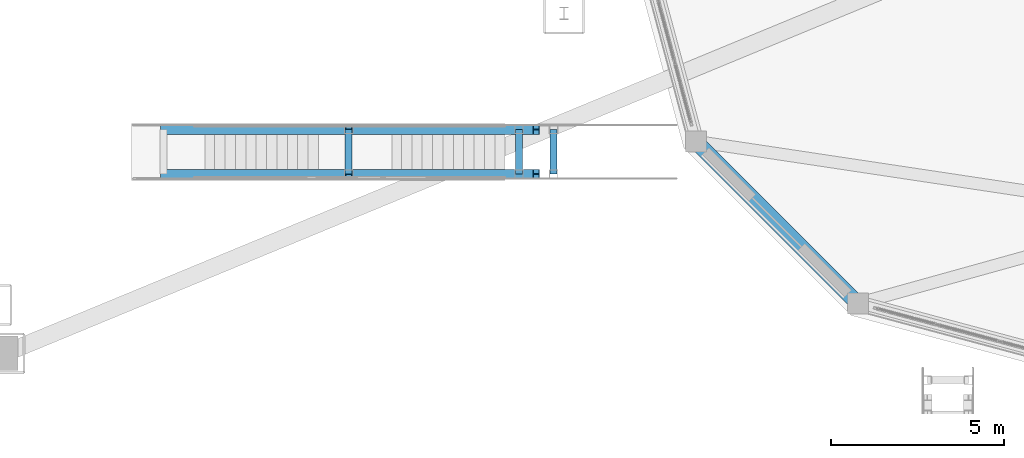
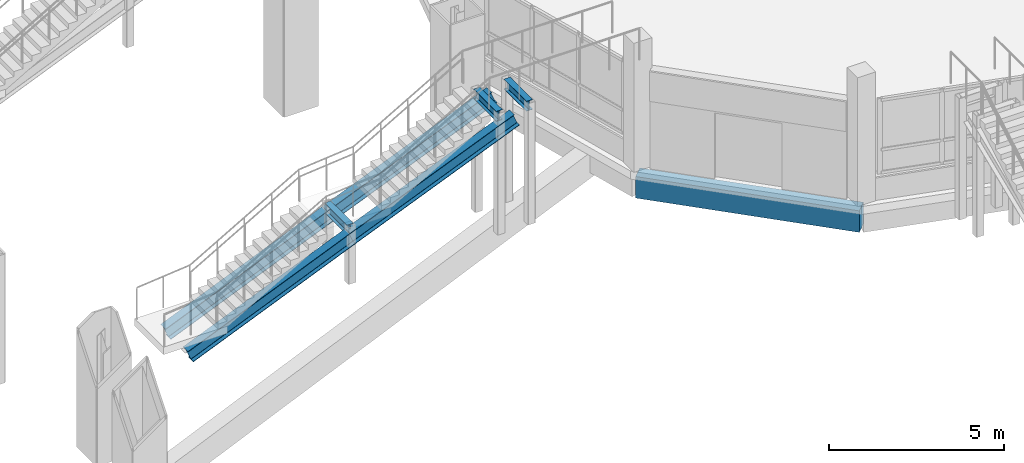
# One storey, part 34 of 129: 8 beams.
"""IFC4 building model written with IfcOpenShell, lengths in metres."""

from ifc_helpers import new_model, si_unit, direction, frame, origin, origin_2d, place, context, subcontext, project, spatial, rectangle, i_section, extrude, material, material_profile, profile_set, type_object, element, save


model = new_model("IFC4")

# Units and contexts
model_context = context("Model", 3, precision=1e-05, world=origin(), true_north=direction((0.0, 1.0)))
body_context = subcontext(model_context, "Body", "Model", "MODEL_VIEW")
ifc_project = project(units=[si_unit("LENGTHUNIT", "METRE"), si_unit("AREAUNIT", "SQUARE_METRE"), si_unit("VOLUMEUNIT", "CUBIC_METRE"), si_unit("PLANEANGLEUNIT", "RADIAN"), si_unit("MASSUNIT", "GRAM", prefix="KILO")], contexts=[model_context])

# Site, building, storey
site_placement = place(None, origin())
site = spatial("IfcSite", under=ifc_project, at=site_placement, CompositionType="ELEMENT")
building_placement = place(site_placement, origin())
building = spatial("IfcBuilding", under=site, at=building_placement, Name="Vespera Passage Community Centre", CompositionType="ELEMENT")
storey_placement = place(building_placement, origin())
storey = spatial("IfcBuildingStorey", under=building, at=storey_placement, Name="L00", CompositionType="ELEMENT", Elevation=0.0)

# Beams
ifc_material_1 = material(Name="Steel ASTM A992 Grade 50", Category="steel")
ifc_material_profile_1 = material_profile(ifc_material_1, i_section(OverallWidth=0.280517578125, OverallDepth=0.46240234375, WebThickness=0.0107421875, FlangeThickness=0.017333984375, FilletRadius=0.01025390625, at=origin_2d()), Name="W18X76")
ifc_profile_set_1 = profile_set([ifc_material_profile_1], Name="Steel ASTM A992 Grade 50")
beam_type_1 = type_object("IfcBeamType", Name="BM-RB-W18X76E", PredefinedType="SPANDREL", material=ifc_profile_set_1)
beam_1_placement = place(storey_placement, frame((94.52490234375, 26.155029296875, -0.679931640625), z_axis=(0.921799986762, 0.0, 0.387665815369), x_axis=(0.0, 1.0, 0.0)))
element("IfcBeam", 1, at=beam_1_placement, inside=storey, type_object=beam_type_1, Name="ST-CRT-01 Stringer 1.1", PredefinedType="SPANDREL", context=body_context, shape_type="SweptSolid", body=[
    extrude(i_section(OverallWidth=0.280517578125, OverallDepth=0.46240234375, WebThickness=0.0107421875, FlangeThickness=0.017333984375, FilletRadius=0.01025390625, at=origin_2d()), origin(), (0.0, 0.0, 1.0), 5.803955078125),
])
beam_2_placement = place(storey_placement, frame((99.875, 26.155029296875, 1.570068359375), z_axis=(0.923706596521, 0.0, 0.383100670246), x_axis=(0.0, 1.0, 0.0)))
element("IfcBeam", 2, at=beam_2_placement, inside=storey, type_object=beam_type_1, Name="ST-CRT-01 Stringer 1.2", PredefinedType="SPANDREL", context=body_context, shape_type="SweptSolid", body=[
    extrude(i_section(OverallWidth=0.280517578125, OverallDepth=0.46240234375, WebThickness=0.0107421875, FlangeThickness=0.017333984375, FilletRadius=0.01025390625, at=origin_2d()), origin(), (0.0, 0.0, 1.0), 5.873046875),
])
beam_3_placement = place(storey_placement, frame((94.52490234375, 27.445068359375, -0.679931640625), z_axis=(0.921799986762, 0.0, 0.387665815369), x_axis=(0.0, 1.0, 0.0)))
element("IfcBeam", 3, at=beam_3_placement, inside=storey, type_object=beam_type_1, Name="ST-CRT-01 Stringer 2.1", PredefinedType="SPANDREL", context=body_context, shape_type="SweptSolid", body=[
    extrude(i_section(OverallWidth=0.280517578125, OverallDepth=0.46240234375, WebThickness=0.0107421875, FlangeThickness=0.017333984375, FilletRadius=0.01025390625, at=origin_2d()), origin(), (0.0, 0.0, 1.0), 5.803955078125),
])
beam_4_placement = place(storey_placement, frame((99.875, 27.445068359375, 1.570068359375), z_axis=(0.923706596521, 0.0, 0.383100670246), x_axis=(0.0, 1.0, 0.0)))
element("IfcBeam", 4, at=beam_4_placement, inside=storey, type_object=beam_type_1, Name="ST-CRT-01 Stringer 2.2", PredefinedType="SPANDREL", context=body_context, shape_type="SweptSolid", body=[
    extrude(i_section(OverallWidth=0.280517578125, OverallDepth=0.46240234375, WebThickness=0.0107421875, FlangeThickness=0.017333984375, FilletRadius=0.01025390625, at=origin_2d()), origin(), (0.0, 0.0, 1.0), 5.873046875),
])
ifc_material_2 = material(Name="Concrete f'c 35 MPa", Category="concrete")
ifc_material_profile_2 = material_profile(ifc_material_2, rectangle(XDim=0.449951171875, YDim=0.75, at=origin_2d()), Name="RC450X750")
ifc_profile_set_2 = profile_set([ifc_material_profile_2], Name="Concrete f'c 35 MPa")
beam_type_2 = type_object("IfcBeamType", Name="BM-SP-450X750E", PredefinedType="SPANDREL", material=ifc_profile_set_2)
beam_5_placement = place(storey_placement, frame((109.914794921875, 27.10009765625, -0.655029296875), z_axis=(0.707106781187, -0.707106781187, 0.0), x_axis=(0.707106781187, 0.707106781187, 0.0)))
element("IfcBeam", 5, at=beam_5_placement, inside=storey, type_object=beam_type_2, Name="V3A L00 Cafe Spandrel 6", PredefinedType="SPANDREL", context=body_context, shape_type="SweptSolid", body=[
    extrude(rectangle(XDim=0.449951171875, YDim=0.75, at=origin_2d()), origin(), (0.0, 0.0, 1.0), 6.6259765625),
])
ifc_material_3 = material(Name="Steel ASTM A992 Grade 50", Category="steel")
ifc_material_profile_3 = material_profile(ifc_material_3, i_section(OverallWidth=0.2041015625, OverallDepth=0.3505859375, WebThickness=0.008544921875, FlangeThickness=0.01513671875, FilletRadius=0.01513671875, at=origin_2d()), Name="W14X48")
ifc_profile_set_3 = profile_set([ifc_material_profile_3], Name="Steel ASTM A992 Grade 50")
beam_type_3 = type_object("IfcBeamType", Name="BM-STR-W14X48E", PredefinedType="BEAM", material=ifc_profile_set_3)
for number, where, z_axis, x_axis, name in (
    (6, (99.875, 26.155029296875, 1.81494140625), (0.0, 1.0, 0.0), (-1.0, 0.0, 0.0), "ST-CRT-01 M Header"),
    (7, (104.800048828125, 26.155029296875, 4.06494140625), (0.0, 1.0, 0.0), (-1.0, 0.0, 0.0), "ST-CRT-01 T Header"),
    (8, (105.800048828125, 26.155029296875, 4.06494140625), (0.0, 1.0, 0.0), (-1.0, 0.0, 0.0), "ST-CRT-01 TF Header"),
):
    element("IfcBeam", number, at=place(storey_placement, frame(where, z_axis=z_axis, x_axis=x_axis)), inside=storey, type_object=beam_type_3, Name=name, PredefinedType="BEAM", context=body_context, shape_type="SweptSolid", body=[
        extrude(i_section(OverallWidth=0.2041015625, OverallDepth=0.3505859375, WebThickness=0.008544921875, FlangeThickness=0.01513671875, FilletRadius=0.01513671875, at=origin_2d()), origin(), (0.0, 0.0, 1.0), 1.2900390625),
    ])

save(model, "model.ifc")
